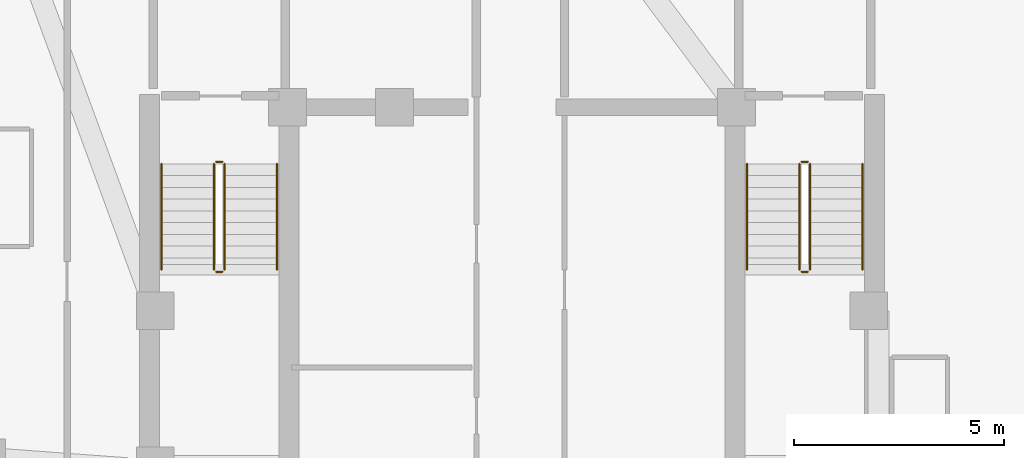
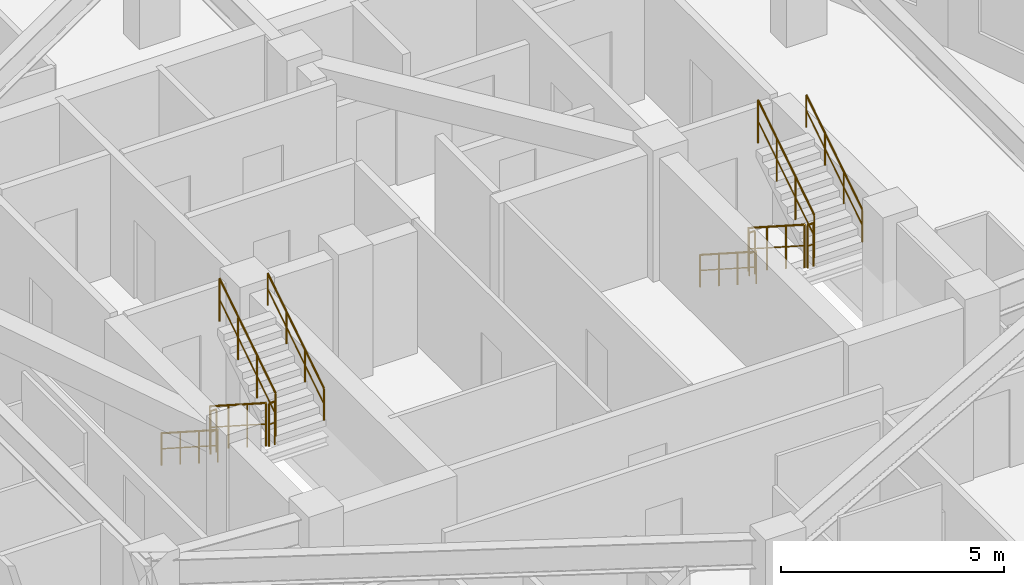
# One storey, part 8 of 8: 12 railings.
"""IFC4 building model written with IfcOpenShell, lengths in metres."""

import ifcopenshell
import ifcopenshell.guid

model = None  # the IFC model being written
_history = None  # IfcOwnerHistory: only IFC2X3 demands one
_inside = {}  # id of a spatial element -> (the spatial element, [elements in it])
_under = {}  # id of a project, library or spatial element -> (it, [spatial elements below it])
_declared = {}  # id of a project -> (the project, [libraries it declares])
_typed = {}  # id of a type object -> (the type object, [elements of that type])
_made_of = {}  # id of a material, layer set ... -> (it, [elements and type objects made of it])


def new_model(schema):
    """Start an empty IFC model of exactly this schema.

    Asked for "IFC4X3", IfcOpenShell would pick the latest addendum, in which some entities
    have other attributes; the version numbers below select the first issue.
    IFC2X3 requires an IfcOwnerHistory on every rooted entity: one is made here for all.
    """
    global model, _history
    if schema == "IFC4X3":
        model = ifcopenshell.file(schema_version=(4, 3, 0, 0))
    else:
        model = ifcopenshell.file(schema=schema)
    _inside.clear()
    _under.clear()
    _declared.clear()
    _typed.clear()
    _made_of.clear()
    _history = None
    if model.schema == "IFC2X3":
        org = make("IfcOrganization", Name="unknown")
        user = make(
            "IfcPersonAndOrganization",
            ThePerson=make("IfcPerson", FamilyName="unknown"),
            TheOrganization=org,
        )
        app = make(
            "IfcApplication",
            ApplicationDeveloper=org,
            Version="unknown",
            ApplicationFullName="unknown",
            ApplicationIdentifier="unknown",
        )
        _history = make(
            "IfcOwnerHistory",
            OwningUser=user,
            OwningApplication=app,
            ChangeAction="ADDED",
            CreationDate=0,
        )
    return model


def make(cls, **values):
    """One entity of the class cls with the attributes given. An attribute that is None is left unset."""
    return model.create_entity(
        cls, **{name: value for name, value in values.items() if value is not None}
    )


def rooted(cls, **values):
    """An entity with a GlobalId (a new one), such as an element, a storey or a relation."""
    return make(cls, GlobalId=ifcopenshell.guid.new(), OwnerHistory=_history, **values)


def si_unit(unit_type, name, prefix=None):
    """IfcSIUnit, for example si_unit("LENGTHUNIT", "METRE", prefix="MILLI")."""
    return make("IfcSIUnit", UnitType=unit_type, Prefix=prefix, Name=name)


def assignment(units):
    """IfcUnitAssignment: the units of a project."""
    return None if units is None else make("IfcUnitAssignment", Units=units)


def point(xyz):
    """IfcCartesianPoint."""
    return None if xyz is None else make("IfcCartesianPoint", Coordinates=xyz)


def direction(xyz):
    """IfcDirection."""
    return None if xyz is None else make("IfcDirection", DirectionRatios=xyz)


def frame(location, z_axis=None, x_axis=None):
    """IfcAxis2Placement3D, a coordinate frame: its origin and axes. An axis left out is left unset."""
    return make(
        "IfcAxis2Placement3D",
        Location=point(location),
        Axis=direction(z_axis),
        RefDirection=direction(x_axis),
    )


def frame_2d(location, x_axis=None):
    """IfcAxis2Placement2D, a coordinate frame in the plane: its origin and x axis."""
    return make(
        "IfcAxis2Placement2D", Location=point(location), RefDirection=direction(x_axis)
    )


def origin():
    """The frame at (0, 0, 0) with its axes left unset."""
    return frame((0.0, 0.0, 0.0))


def origin_2d():
    """The frame at (0, 0) in the plane with its x axis left unset."""
    return frame_2d((0.0, 0.0))


def place(relative_to, where):
    """IfcLocalPlacement: puts the frame where relative to a parent placement (None: the world)."""
    return make(
        "IfcLocalPlacement", PlacementRelTo=relative_to, RelativePlacement=where
    )


def context(
    kind, dimensions, precision=None, world=None, true_north=None, identifier=None
):
    """IfcGeometricRepresentationContext, for example the 3D "Model" context."""
    return make(
        "IfcGeometricRepresentationContext",
        ContextIdentifier=identifier,
        ContextType=kind,
        CoordinateSpaceDimension=dimensions,
        Precision=precision,
        WorldCoordinateSystem=world,
        TrueNorth=true_north,
    )


def subcontext(parent, identifier, kind, view, scale=None):
    """IfcGeometricRepresentationSubContext, for example "Body" below "Model"."""
    return make(
        "IfcGeometricRepresentationSubContext",
        ContextIdentifier=identifier,
        ContextType=kind,
        ParentContext=parent,
        TargetScale=scale,
        TargetView=view,
    )


def project(units=None, contexts=None):
    """IfcProject with its units and contexts."""
    return rooted(
        "IfcProject",
        Name="project",
        RepresentationContexts=contexts,
        UnitsInContext=assignment(units),
    )


def spatial(cls, under=None, at=None, **own):
    """A site, building, storey or space (cls), placed at a placement, below another one or the project."""
    s = rooted(cls, ObjectPlacement=at, **own)
    if under is not None:
        _under.setdefault(under.id(), (under, []))[1].append(s)
    return s


def profile(cls, at=None, kind="AREA", **sizes):
    """A parametric profile (cls). Its sizes go by their IFC names, for example OverallWidth=200.0."""
    return make(cls, ProfileType=kind, Position=at, **sizes)


def circle(**sizes):
    """IfcCircleProfileDef."""
    return profile("IfcCircleProfileDef", **sizes)


def extrude(swept, where, along, depth):
    """IfcExtrudedAreaSolid: the profile swept, set in the frame where, extruded along a direction by depth."""
    return make(
        "IfcExtrudedAreaSolid",
        SweptArea=swept,
        Position=where,
        ExtrudedDirection=direction(along),
        Depth=depth,
    )


def shape(context_of_items, identifier, shape_type, items):
    """IfcShapeRepresentation: the items that make up one representation, for example the "Body"."""
    return make(
        "IfcShapeRepresentation",
        ContextOfItems=context_of_items,
        RepresentationIdentifier=identifier,
        RepresentationType=shape_type,
        Items=items,
    )


def material(Name=None, Category=None):
    """IfcMaterial."""
    return make("IfcMaterial", Name=Name, Category=Category)


def made_of(thing, what):
    """Note that an element or type object is made of a material, layer set ...; save() writes the relation."""
    if what is not None:
        _made_of.setdefault(what.id(), (what, []))[1].append(thing)
    return thing


def type_object(cls, material=None, **own):
    """A type object (cls), such as IfcWallType, which elements share."""
    return made_of(rooted(cls, **own), material)


def element(
    cls,
    number,
    at=None,
    inside=None,
    cuts=None,
    type_object=None,
    material=None,
    context=None,
    identifier="Body",
    shape_type=None,
    held_by="IfcProductDefinitionShape",
    body=None,
    shapes=None,
    **own,
):
    """One element of the class cls, such as IfcWall. Its Tag is "e" and its number.

    at: its placement. inside: the storey or other place that contains it. cuts: it is an
    opening in that element (IfcRelVoidsElement). A single representation is given by context,
    identifier, shape_type and body (its items); several are given by shapes. held_by: the class
    of the entity that holds the representations. save() writes the other relations.
    """
    e = rooted(cls, Tag="e%d" % number, ObjectPlacement=at, **own)
    if body is not None:
        shapes = [shape(context, identifier, shape_type, body)]
    if shapes is not None:
        e.Representation = make(held_by, Representations=shapes)
    if inside is not None:
        _inside.setdefault(inside.id(), (inside, []))[1].append(e)
    if cuts is not None:
        rooted(
            "IfcRelVoidsElement", RelatingBuildingElement=cuts, RelatedOpeningElement=e
        )
    if type_object is not None:
        _typed.setdefault(type_object.id(), (type_object, []))[1].append(e)
    return made_of(e, material)


def aggregate(whole, parts):
    """IfcRelAggregates: a whole, such as a stair, and the parts it consists of."""
    return rooted("IfcRelAggregates", RelatingObject=whole, RelatedObjects=parts)


def save(model, path):
    """Write the relations noted so far, then the file.

    IfcRelAggregates (storeys below a building ...), IfcRelContainedInSpatialStructure (elements
    in a storey), IfcRelDefinesByType, IfcRelAssociatesMaterial and IfcRelDeclares: one each for
    every whole, place, type object, material and project.
    """
    for whole, parts in _under.values():
        aggregate(whole, parts)
    for where, things in _inside.values():
        rooted(
            "IfcRelContainedInSpatialStructure",
            RelatedElements=things,
            RelatingStructure=where,
        )
    for kind, things in _typed.values():
        rooted("IfcRelDefinesByType", RelatedObjects=things, RelatingType=kind)
    for what, things in _made_of.values():
        rooted("IfcRelAssociatesMaterial", RelatedObjects=things, RelatingMaterial=what)
    for by, libraries in _declared.values():
        rooted("IfcRelDeclares", RelatingContext=by, RelatedDefinitions=libraries)
    model.write(path)


model = new_model("IFC4")

# Units and contexts
model_context = context("Model", 3, precision=1e-05, world=origin(), true_north=direction((0.0, 1.0)))
body_context = subcontext(model_context, "Body", "Model", "MODEL_VIEW")
ifc_project = project(units=[si_unit("LENGTHUNIT", "METRE"), si_unit("AREAUNIT", "SQUARE_METRE"), si_unit("VOLUMEUNIT", "CUBIC_METRE"), si_unit("PLANEANGLEUNIT", "RADIAN"), si_unit("MASSUNIT", "GRAM", prefix="KILO")], contexts=[model_context])

# Site, building, storey
site_placement = place(None, origin())
site = spatial("IfcSite", under=ifc_project, at=site_placement, CompositionType="ELEMENT")
building_placement = place(site_placement, origin())
building = spatial("IfcBuilding", under=site, at=building_placement, Name="Miruveldt Soraemaru", CompositionType="ELEMENT")
storey_placement = place(building_placement, frame((0.0, 0.0, 208.800048828125)))
storey = spatial("IfcBuildingStorey", under=building, at=storey_placement, Name="L57", CompositionType="ELEMENT", Elevation=208.800048828125)

# Railings
ifc_material = material(Name="Steel S355 (355 MPa)", Category="steel")
railing_type_1 = type_object("IfcRailingType", Name="RAIL-HR-900", PredefinedType="HANDRAIL", material=ifc_material)
railing_1_placement = place(storey_placement, frame((35.64990234375, 42.699951171875, 0.179931640625)))
element("IfcRailing", 1, at=railing_1_placement, inside=storey, type_object=railing_type_1, Name="L57 ST-1 stair handrail 1", PredefinedType="HANDRAIL", context=body_context, shape_type="SweptSolid", body=[
    extrude(circle(Radius=0.02392578125, at=origin_2d()), frame((0.0, 0.0, 0.8759765625), z_axis=(0.0, -0.841162588446, 0.540782303519), x_axis=(1.0, 0.0, 0.0)), (0.0, 0.0, 1.0), 2.995849609375),
    extrude(circle(Radius=0.01611328125, at=origin_2d()), frame((0.0, 0.0, 0.449951171875), z_axis=(0.0, -0.841162588446, 0.540782303519), x_axis=(1.0, 0.0, 0.0)), (0.0, 0.0, 1.0), 2.995849609375),
    extrude(circle(Radius=0.02099609375, at=origin_2d()), origin(), (0.0, 0.0, 1.0), 0.851806640625),
    extrude(circle(Radius=0.02099609375, at=origin_2d()), frame((0.0, -0.840087890625, 0.5400390625)), (0.0, 0.0, 1.0), 0.851806640625),
    extrude(circle(Radius=0.02099609375, at=origin_2d()), frame((0.0, -1.679931640625, 1.080078125)), (0.0, 0.0, 1.0), 0.851806640625),
    extrude(circle(Radius=0.02099609375, at=origin_2d()), frame((0.0, -2.52001953125, 1.6201171875)), (0.0, 0.0, 1.0), 0.851806640625),
])
railing_2_placement = place(storey_placement, frame((38.39990234375, 40.179931640625, 1.97998046875)))
element("IfcRailing", 2, at=railing_2_placement, inside=storey, type_object=railing_type_1, Name="L57 ST-1 stair handrail 2", PredefinedType="HANDRAIL", context=body_context, shape_type="SweptSolid", body=[
    extrude(circle(Radius=0.02392578125, at=origin_2d()), frame((0.0, 0.0, 0.8759765625), z_axis=(0.0, 0.841199657755, 0.540724639528), x_axis=(-1.0, 0.0, 0.0)), (0.0, 0.0, 1.0), 2.995849609375),
    extrude(circle(Radius=0.01611328125, at=origin_2d()), frame((0.0, 0.0, 0.449951171875), z_axis=(0.0, 0.841199657755, 0.540724639528), x_axis=(-1.0, 0.0, 0.0)), (0.0, 0.0, 1.0), 2.995849609375),
    extrude(circle(Radius=0.02099609375, at=origin_2d()), origin(), (0.0, 0.0, 1.0), 0.851806640625),
    extrude(circle(Radius=0.02099609375, at=origin_2d()), frame((0.0, 0.840087890625, 0.5400390625)), (0.0, 0.0, 1.0), 0.851806640625),
    extrude(circle(Radius=0.02099609375, at=origin_2d()), frame((0.0, 1.679931640625, 1.079833984375)), (0.0, 0.0, 1.0), 0.851806640625),
    extrude(circle(Radius=0.02099609375, at=origin_2d()), frame((0.0, 2.52001953125, 1.619873046875)), (0.0, 0.0, 1.0), 0.851806640625),
])
railing_3_placement = place(storey_placement, frame((49.60009765625, 42.699951171875, 0.179931640625)))
element("IfcRailing", 3, at=railing_3_placement, inside=storey, type_object=railing_type_1, Name="L57 ST-2 stair handrail 1", PredefinedType="HANDRAIL", context=body_context, shape_type="SweptSolid", body=[
    extrude(circle(Radius=0.02392578125, at=origin_2d()), frame((0.0, 0.0, 0.8759765625), z_axis=(0.0, -0.841162588446, 0.540782303519), x_axis=(1.0, 0.0, 0.0)), (0.0, 0.0, 1.0), 2.995849609375),
    extrude(circle(Radius=0.01611328125, at=origin_2d()), frame((0.0, 0.0, 0.449951171875), z_axis=(0.0, -0.841162588446, 0.540782303519), x_axis=(1.0, 0.0, 0.0)), (0.0, 0.0, 1.0), 2.995849609375),
    extrude(circle(Radius=0.02099609375, at=origin_2d()), origin(), (0.0, 0.0, 1.0), 0.851806640625),
    extrude(circle(Radius=0.02099609375, at=origin_2d()), frame((0.0, -0.840087890625, 0.5400390625)), (0.0, 0.0, 1.0), 0.851806640625),
    extrude(circle(Radius=0.02099609375, at=origin_2d()), frame((0.0, -1.679931640625, 1.080078125)), (0.0, 0.0, 1.0), 0.851806640625),
    extrude(circle(Radius=0.02099609375, at=origin_2d()), frame((0.0, -2.52001953125, 1.6201171875)), (0.0, 0.0, 1.0), 0.851806640625),
])
railing_4_placement = place(storey_placement, frame((52.35009765625, 40.179931640625, 1.97998046875)))
element("IfcRailing", 4, at=railing_4_placement, inside=storey, type_object=railing_type_1, Name="L57 ST-2 stair handrail 2", PredefinedType="HANDRAIL", context=body_context, shape_type="SweptSolid", body=[
    extrude(circle(Radius=0.02392578125, at=origin_2d()), frame((0.0, 0.0, 0.8759765625), z_axis=(0.0, 0.841199657755, 0.540724639528), x_axis=(-1.0, 0.0, 0.0)), (0.0, 0.0, 1.0), 2.995849609375),
    extrude(circle(Radius=0.01611328125, at=origin_2d()), frame((0.0, 0.0, 0.449951171875), z_axis=(0.0, 0.841199657755, 0.540724639528), x_axis=(-1.0, 0.0, 0.0)), (0.0, 0.0, 1.0), 2.995849609375),
    extrude(circle(Radius=0.02099609375, at=origin_2d()), origin(), (0.0, 0.0, 1.0), 0.851806640625),
    extrude(circle(Radius=0.02099609375, at=origin_2d()), frame((0.0, 0.840087890625, 0.5400390625)), (0.0, 0.0, 1.0), 0.851806640625),
    extrude(circle(Radius=0.02099609375, at=origin_2d()), frame((0.0, 1.679931640625, 1.079833984375)), (0.0, 0.0, 1.0), 0.851806640625),
    extrude(circle(Radius=0.02099609375, at=origin_2d()), frame((0.0, 2.52001953125, 1.619873046875)), (0.0, 0.0, 1.0), 0.851806640625),
])
railing_type_2 = type_object("IfcRailingType", Name="RAIL-STGUARD-1200", PredefinedType="GUARDRAIL", material=ifc_material)
railing_5_placement = place(storey_placement, frame((36.89990234375, 42.699951171875, 0.179931640625)))
element("IfcRailing", 5, at=railing_5_placement, inside=storey, type_object=railing_type_2, Name="L57 ST-1 stair guard 1", PredefinedType="GUARDRAIL", context=body_context, shape_type="SweptSolid", body=[
    extrude(circle(Radius=0.02392578125, at=origin_2d()), frame((0.0, 0.0, 1.17578125), z_axis=(0.0, -0.841162588446, 0.540782303519), x_axis=(1.0, 0.0, 0.0)), (0.0, 0.0, 1.0), 2.995849609375),
    extrude(circle(Radius=0.01611328125, at=origin_2d()), frame((0.0, 0.0, 0.60009765625), z_axis=(0.0, -0.841162588446, 0.540782303519), x_axis=(1.0, 0.0, 0.0)), (0.0, 0.0, 1.0), 2.995849609375),
    extrude(circle(Radius=0.02099609375, at=origin_2d()), origin(), (0.0, 0.0, 1.0), 1.15185546875),
    extrude(circle(Radius=0.02099609375, at=origin_2d()), frame((0.0, -0.840087890625, 0.5400390625)), (0.0, 0.0, 1.0), 1.15185546875),
    extrude(circle(Radius=0.02099609375, at=origin_2d()), frame((0.0, -1.679931640625, 1.080078125)), (0.0, 0.0, 1.0), 1.15185546875),
    extrude(circle(Radius=0.02099609375, at=origin_2d()), frame((0.0, -2.52001953125, 1.6201171875)), (0.0, 0.0, 1.0), 1.15185546875),
])
railing_6_placement = place(storey_placement, frame((36.949951171875, 40.1298828125, 1.800048828125)))
element("IfcRailing", 6, at=railing_6_placement, inside=storey, type_object=railing_type_2, Name="L57 ST-1 stair guard 2", PredefinedType="GUARDRAIL", context=body_context, shape_type="SweptSolid", body=[
    extrude(circle(Radius=0.02392578125, at=origin_2d()), frame((0.0, 0.0, 1.17578125), z_axis=(1.0, 0.0, 0.0), x_axis=(0.0, 1.0, 0.0)), (0.0, 0.0, 1.0), 0.150146484375),
    extrude(circle(Radius=0.01611328125, at=origin_2d()), frame((0.0, 0.0, 0.60009765625), z_axis=(1.0, 0.0, 0.0), x_axis=(0.0, 1.0, 0.0)), (0.0, 0.0, 1.0), 0.150146484375),
    extrude(circle(Radius=0.02099609375, at=origin_2d()), origin(), (0.0, 0.0, 1.0), 1.15185546875),
    extrude(circle(Radius=0.02099609375, at=origin_2d()), frame((0.150146484375, 0.0, 0.0)), (0.0, 0.0, 1.0), 1.15185546875),
])
railing_7_placement = place(storey_placement, frame((37.14990234375, 40.179931640625, 1.97998046875)))
element("IfcRailing", 7, at=railing_7_placement, inside=storey, type_object=railing_type_2, Name="L57 ST-1 stair guard 3", PredefinedType="GUARDRAIL", context=body_context, shape_type="SweptSolid", body=[
    extrude(circle(Radius=0.02392578125, at=origin_2d()), frame((0.0, 0.0, 1.17578125), z_axis=(0.0, 0.841199657755, 0.540724639528), x_axis=(-1.0, 0.0, 0.0)), (0.0, 0.0, 1.0), 2.995849609375),
    extrude(circle(Radius=0.01611328125, at=origin_2d()), frame((0.0, 0.0, 0.60009765625), z_axis=(0.0, 0.841199657755, 0.540724639528), x_axis=(-1.0, 0.0, 0.0)), (0.0, 0.0, 1.0), 2.995849609375),
    extrude(circle(Radius=0.02099609375, at=origin_2d()), origin(), (0.0, 0.0, 1.0), 1.15185546875),
    extrude(circle(Radius=0.02099609375, at=origin_2d()), frame((0.0, 0.840087890625, 0.5400390625)), (0.0, 0.0, 1.0), 1.15185546875),
    extrude(circle(Radius=0.02099609375, at=origin_2d()), frame((0.0, 1.679931640625, 1.079833984375)), (0.0, 0.0, 1.0), 1.15185546875),
    extrude(circle(Radius=0.02099609375, at=origin_2d()), frame((0.0, 2.52001953125, 1.619873046875)), (0.0, 0.0, 1.0), 1.15185546875),
])
railing_8_placement = place(storey_placement, frame((36.949951171875, 42.75, 0.0)))
element("IfcRailing", 8, at=railing_8_placement, inside=storey, type_object=railing_type_2, Name="L57 ST-1 stair guard 4", PredefinedType="GUARDRAIL", context=body_context, shape_type="SweptSolid", body=[
    extrude(circle(Radius=0.02392578125, at=origin_2d()), frame((0.0, 0.0, 1.17578125), z_axis=(1.0, 0.0, 0.0), x_axis=(0.0, 1.0, 0.0)), (0.0, 0.0, 1.0), 0.150146484375),
    extrude(circle(Radius=0.01611328125, at=origin_2d()), frame((0.0, 0.0, 0.60009765625), z_axis=(1.0, 0.0, 0.0), x_axis=(0.0, 1.0, 0.0)), (0.0, 0.0, 1.0), 0.150146484375),
    extrude(circle(Radius=0.02099609375, at=origin_2d()), origin(), (0.0, 0.0, 1.0), 1.15185546875),
    extrude(circle(Radius=0.02099609375, at=origin_2d()), frame((0.150146484375, 0.0, 0.0)), (0.0, 0.0, 1.0), 1.15185546875),
])
railing_9_placement = place(storey_placement, frame((50.85009765625, 42.699951171875, 0.179931640625)))
element("IfcRailing", 9, at=railing_9_placement, inside=storey, type_object=railing_type_2, Name="L57 ST-2 stair guard 1", PredefinedType="GUARDRAIL", context=body_context, shape_type="SweptSolid", body=[
    extrude(circle(Radius=0.02392578125, at=origin_2d()), frame((0.0, 0.0, 1.17578125), z_axis=(0.0, -0.841162588446, 0.540782303519), x_axis=(1.0, 0.0, 0.0)), (0.0, 0.0, 1.0), 2.995849609375),
    extrude(circle(Radius=0.01611328125, at=origin_2d()), frame((0.0, 0.0, 0.60009765625), z_axis=(0.0, -0.841162588446, 0.540782303519), x_axis=(1.0, 0.0, 0.0)), (0.0, 0.0, 1.0), 2.995849609375),
    extrude(circle(Radius=0.02099609375, at=origin_2d()), origin(), (0.0, 0.0, 1.0), 1.15185546875),
    extrude(circle(Radius=0.02099609375, at=origin_2d()), frame((0.0, -0.840087890625, 0.5400390625)), (0.0, 0.0, 1.0), 1.15185546875),
    extrude(circle(Radius=0.02099609375, at=origin_2d()), frame((0.0, -1.679931640625, 1.080078125)), (0.0, 0.0, 1.0), 1.15185546875),
    extrude(circle(Radius=0.02099609375, at=origin_2d()), frame((0.0, -2.52001953125, 1.6201171875)), (0.0, 0.0, 1.0), 1.15185546875),
])
railing_10_placement = place(storey_placement, frame((50.89990234375, 40.1298828125, 1.800048828125)))
element("IfcRailing", 10, at=railing_10_placement, inside=storey, type_object=railing_type_2, Name="L57 ST-2 stair guard 2", PredefinedType="GUARDRAIL", context=body_context, shape_type="SweptSolid", body=[
    extrude(circle(Radius=0.02392578125, at=origin_2d()), frame((0.0, 0.0, 1.17578125), z_axis=(1.0, 0.0, 0.0), x_axis=(0.0, 1.0, 0.0)), (0.0, 0.0, 1.0), 0.150146484375),
    extrude(circle(Radius=0.01611328125, at=origin_2d()), frame((0.0, 0.0, 0.60009765625), z_axis=(1.0, 0.0, 0.0), x_axis=(0.0, 1.0, 0.0)), (0.0, 0.0, 1.0), 0.150146484375),
    extrude(circle(Radius=0.02099609375, at=origin_2d()), origin(), (0.0, 0.0, 1.0), 1.15185546875),
    extrude(circle(Radius=0.02099609375, at=origin_2d()), frame((0.150146484375, 0.0, 0.0)), (0.0, 0.0, 1.0), 1.15185546875),
])
railing_11_placement = place(storey_placement, frame((51.10009765625, 40.179931640625, 1.97998046875)))
element("IfcRailing", 11, at=railing_11_placement, inside=storey, type_object=railing_type_2, Name="L57 ST-2 stair guard 3", PredefinedType="GUARDRAIL", context=body_context, shape_type="SweptSolid", body=[
    extrude(circle(Radius=0.02392578125, at=origin_2d()), frame((0.0, 0.0, 1.17578125), z_axis=(0.0, 0.841199657755, 0.540724639528), x_axis=(-1.0, 0.0, 0.0)), (0.0, 0.0, 1.0), 2.995849609375),
    extrude(circle(Radius=0.01611328125, at=origin_2d()), frame((0.0, 0.0, 0.60009765625), z_axis=(0.0, 0.841199657755, 0.540724639528), x_axis=(-1.0, 0.0, 0.0)), (0.0, 0.0, 1.0), 2.995849609375),
    extrude(circle(Radius=0.02099609375, at=origin_2d()), origin(), (0.0, 0.0, 1.0), 1.15185546875),
    extrude(circle(Radius=0.02099609375, at=origin_2d()), frame((0.0, 0.840087890625, 0.5400390625)), (0.0, 0.0, 1.0), 1.15185546875),
    extrude(circle(Radius=0.02099609375, at=origin_2d()), frame((0.0, 1.679931640625, 1.079833984375)), (0.0, 0.0, 1.0), 1.15185546875),
    extrude(circle(Radius=0.02099609375, at=origin_2d()), frame((0.0, 2.52001953125, 1.619873046875)), (0.0, 0.0, 1.0), 1.15185546875),
])
railing_12_placement = place(storey_placement, frame((50.89990234375, 42.75, 0.0)))
element("IfcRailing", 12, at=railing_12_placement, inside=storey, type_object=railing_type_2, Name="L57 ST-2 stair guard 4", PredefinedType="GUARDRAIL", context=body_context, shape_type="SweptSolid", body=[
    extrude(circle(Radius=0.02392578125, at=origin_2d()), frame((0.0, 0.0, 1.17578125), z_axis=(1.0, 0.0, 0.0), x_axis=(0.0, 1.0, 0.0)), (0.0, 0.0, 1.0), 0.150146484375),
    extrude(circle(Radius=0.01611328125, at=origin_2d()), frame((0.0, 0.0, 0.60009765625), z_axis=(1.0, 0.0, 0.0), x_axis=(0.0, 1.0, 0.0)), (0.0, 0.0, 1.0), 0.150146484375),
    extrude(circle(Radius=0.02099609375, at=origin_2d()), origin(), (0.0, 0.0, 1.0), 1.15185546875),
    extrude(circle(Radius=0.02099609375, at=origin_2d()), frame((0.150146484375, 0.0, 0.0)), (0.0, 0.0, 1.0), 1.15185546875),
])

save(model, "model.ifc")
